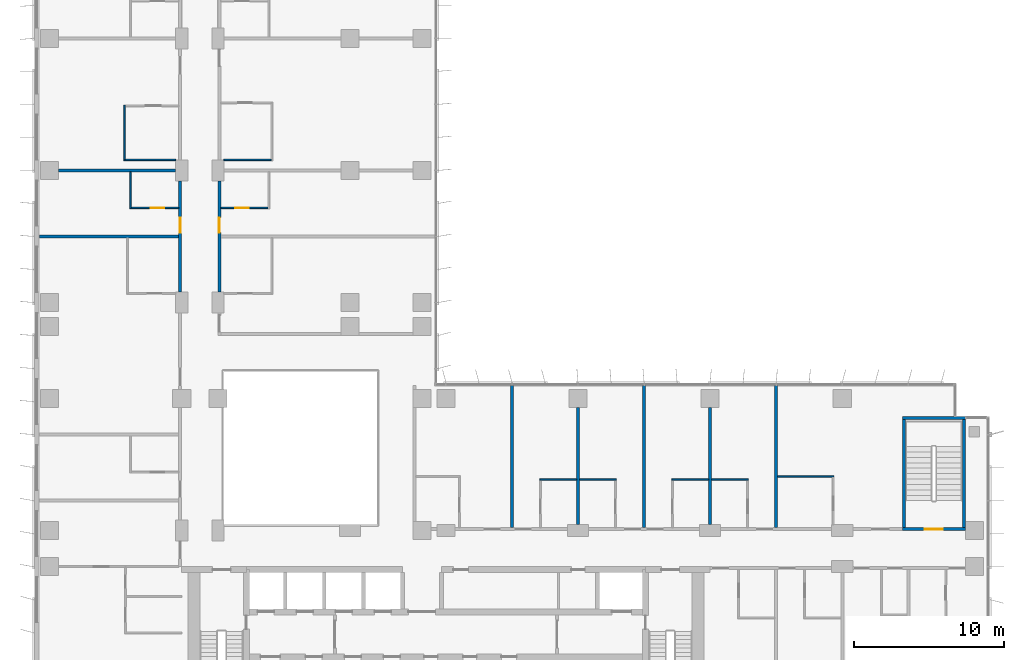
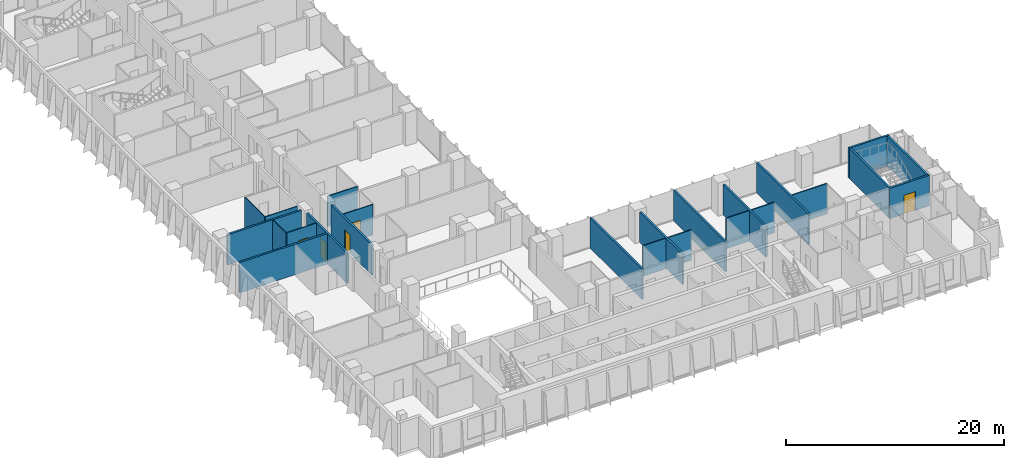
# One storey, part 15 of 23: 24 walls, 5 doors, 5 openings.
"""IFC4 building model written with IfcOpenShell, lengths in metres."""

from ifc_helpers import new_model, si_unit, direction, frame, frame_2d, origin, place, context, subcontext, project, spatial, rectangle, extrude, material, layer, layer_set, type_object, element, fill, save


model = new_model("IFC4")

# Units and contexts
model_context = context("Model", 3, precision=1e-05, world=origin(), true_north=direction((0.0, 1.0)))
body_context = subcontext(model_context, "Body", "Model", "MODEL_VIEW")
ifc_project = project(units=[si_unit("LENGTHUNIT", "METRE"), si_unit("AREAUNIT", "SQUARE_METRE"), si_unit("VOLUMEUNIT", "CUBIC_METRE"), si_unit("PLANEANGLEUNIT", "RADIAN"), si_unit("MASSUNIT", "GRAM", prefix="KILO")], contexts=[model_context])

# Site, building, storey
site_placement = place(None, origin())
site = spatial("IfcSite", under=ifc_project, at=site_placement, CompositionType="ELEMENT")
building_placement = place(site_placement, origin())
building = spatial("IfcBuilding", under=site, at=building_placement, Name="Kemantara Hotel Tower", CompositionType="ELEMENT")
storey_placement = place(building_placement, frame((0.0, 0.0, 118.5)))
storey = spatial("IfcBuildingStorey", under=building, at=storey_placement, Name="L28", CompositionType="ELEMENT", Elevation=118.5)

# Wall, opening, door
ifc_material_1 = material(Name="Gypsum board partition, steel studs and mineral wool, 200 mm", Category="steel")
ifc_layer_1 = layer(ifc_material_1, 0.199951171875)
ifc_layer_set_1 = layer_set([ifc_layer_1], Name="Gypsum board partition, steel studs and mineral wool, 200 mm")
wall_type_1 = type_object("IfcWallType", Name="CORRIDOR WALL 200", PredefinedType="PARTITIONING", material=ifc_layer_set_1)
wall_1_placement = place(storey_placement, frame((9.699951171875, 28.10009765625, 0.0), z_axis=(0.0, 0.0, 1.0), x_axis=(0.0, 1.0, 0.0)))
wall_1 = element("IfcWall", 1, at=wall_1_placement, inside=storey, type_object=wall_type_1, Name="CORRIDOR WALL 200 021", PredefinedType="PARTITIONING", context=body_context, shape_type="SweptSolid", body=[
    extrude(rectangle(XDim=7.39990234375, YDim=0.199951171875, at=frame_2d((3.699951171875, 0.0))), origin(), (0.0, 0.0, 1.0), 3.39990234375),
])
opening_1_placement = place(wall_1_placement, frame((3.949951171875, 0.0, 0.0)))
opening_1 = element("IfcOpeningElement", 2, at=opening_1_placement, cuts=wall_1, Name="Opening F12-029", PredefinedType="OPENING", context=body_context, shape_type="SweptSolid", body=[
    extrude(rectangle(XDim=1.0, YDim=2.10009765625, at=frame_2d((0.5, 1.050048828125))), frame((0.0, 0.10986328125, 0.0), z_axis=(0.0, -1.0, 0.0), x_axis=(1.0, 0.0, 0.0)), (0.0, 0.0, 1.0), 0.219970703125),
])
ifc_material_2 = material(Name="Hardwood veneer door leaf with steel frame", Category="steel")
door_type_1 = type_object("IfcDoorType", Name="GUEST ROOM DOOR 1000 X 2100 FD30S", OperationType="NOTDEFINED", PredefinedType="DOOR", material=ifc_material_2)
door_1_placement = place(opening_1_placement, origin())
door_1 = element("IfcDoor", 3, at=door_1_placement, inside=storey, type_object=door_type_1, Name="GUEST ROOM DOOR F12-029", OperationType="SINGLE_SWING_LEFT", OverallHeight=2.10009765625, OverallWidth=1.0, PredefinedType="DOOR", context=body_context, shape_type="SweptSolid", body=[
    extrude(rectangle(XDim=1.0, YDim=2.10009765625, at=frame_2d((0.5, 1.050048828125))), frame((0.0, 0.02490234375, 0.0), z_axis=(0.0, -1.0, 0.0), x_axis=(1.0, 0.0, 0.0)), (0.0, 0.0, 1.0), 0.050048828125),
])
fill(opening_1, door_1)

wall_2_placement = place(storey_placement, frame((12.300048828125, 35.5, 0.0), z_axis=(0.0, 0.0, 1.0), x_axis=(0.0, -1.0, 0.0)))
wall_2 = element("IfcWall", 4, at=wall_2_placement, inside=storey, type_object=wall_type_1, Name="CORRIDOR WALL 200 045", PredefinedType="PARTITIONING", context=body_context, shape_type="SweptSolid", body=[
    extrude(rectangle(XDim=7.39990234375, YDim=0.199951171875, at=frame_2d((3.699951171875, 0.0))), origin(), (0.0, 0.0, 1.0), 3.39990234375),
])
opening_2_placement = place(wall_2_placement, frame((2.449951171875, 0.0, 0.0)))
opening_2 = element("IfcOpeningElement", 5, at=opening_2_placement, cuts=wall_2, Name="Opening F12-047", PredefinedType="OPENING", context=body_context, shape_type="SweptSolid", body=[
    extrude(rectangle(XDim=1.0, YDim=2.10009765625, at=frame_2d((0.5, 1.050048828125))), frame((0.0, 0.10986328125, 0.0), z_axis=(0.0, -1.0, 0.0), x_axis=(1.0, 0.0, 0.0)), (0.0, 0.0, 1.0), 0.219970703125),
])
door_2_placement = place(opening_2_placement, origin())
door_2 = element("IfcDoor", 6, at=door_2_placement, inside=storey, type_object=door_type_1, Name="GUEST ROOM DOOR F12-047", OperationType="SINGLE_SWING_RIGHT", OverallHeight=2.10009765625, OverallWidth=1.0, PredefinedType="DOOR", context=body_context, shape_type="SweptSolid", body=[
    extrude(rectangle(XDim=1.0, YDim=2.10009765625, at=frame_2d((0.5, 1.050048828125))), frame((0.0, 0.02490234375, 0.0), z_axis=(0.0, -1.0, 0.0), x_axis=(1.0, 0.0, 0.0)), (0.0, 0.0, 1.0), 0.050048828125),
])
fill(opening_2, door_2)

ifc_material_3 = material(Name="Concrete fc 40 MPa", Category="concrete")
ifc_layer_2 = layer(ifc_material_3, 0.199951171875)
ifc_layer_set_2 = layer_set([ifc_layer_2], Name="Concrete fc 40 MPa")
wall_type_2 = type_object("IfcWallType", Name="Concrete stair wall 200 mm", PredefinedType="SHEAR", material=ifc_layer_set_2)
wall_3_placement = place(storey_placement, frame((57.800048828125, 12.300048828125, 0.0), z_axis=(0.0, 0.0, 1.0), x_axis=(1.0, 0.0, 0.0)))
wall_3 = element("IfcWall", 7, at=wall_3_placement, inside=storey, type_object=wall_type_2, Name="Stair ST3 enclosure wall with door", PredefinedType="SHEAR", context=body_context, shape_type="SweptSolid", body=[
    extrude(rectangle(XDim=4.199951171875, YDim=0.199951171875, at=frame_2d((2.10009765625, 0.0))), origin(), (0.0, 0.0, 1.0), 3.39990234375),
])
opening_3_placement = place(wall_3_placement, frame((1.5, 0.0, 0.0)))
opening_3 = element("IfcOpeningElement", 8, at=opening_3_placement, cuts=wall_3, Name="Opening ST3-C", PredefinedType="OPENING", context=body_context, shape_type="SweptSolid", body=[
    extrude(rectangle(XDim=1.199951171875, YDim=2.10009765625, at=frame_2d((0.60009765625, 1.050048828125))), frame((0.0, 0.10986328125, 0.0), z_axis=(0.0, -1.0, 0.0), x_axis=(1.0, 0.0, 0.0)), (0.0, 0.0, 1.0), 0.219970703125),
])
ifc_material_4 = material(Name="Steel fire door", Category="steel")
door_type_2 = type_object("IfcDoorType", Name="Fire door FD90 1200 x 2100", OperationType="NOTDEFINED", PredefinedType="DOOR", material=ifc_material_4)
door_3_placement = place(opening_3_placement, origin())
door_3 = element("IfcDoor", 9, at=door_3_placement, inside=storey, type_object=door_type_2, Name="Stair ST3 door", OperationType="SINGLE_SWING_RIGHT", OverallHeight=2.10009765625, OverallWidth=1.199951171875, PredefinedType="DOOR", context=body_context, shape_type="SweptSolid", body=[
    extrude(rectangle(XDim=1.199951171875, YDim=2.10009765625, at=frame_2d((0.60009765625, 1.050048828125))), frame((0.0, 0.02490234375, 0.0), z_axis=(0.0, -1.0, 0.0), x_axis=(1.0, 0.0, 0.0)), (0.0, 0.0, 1.0), 0.050048828125),
])
fill(opening_3, door_3)

# Walls
wall_4_placement = place(storey_placement, frame((57.800048828125, 19.699951171875, 0.0), z_axis=(0.0, 0.0, 1.0), x_axis=(1.0, 0.0, 0.0)))
element("IfcWall", 10, at=wall_4_placement, inside=storey, type_object=wall_type_2, Name="Stair ST3 enclosure wall N", PredefinedType="SHEAR", context=body_context, shape_type="SweptSolid", body=[
    extrude(rectangle(XDim=4.199951171875, YDim=0.199951171875, at=frame_2d((2.10009765625, 0.0))), origin(), (0.0, 0.0, 1.0), 3.39990234375),
])
for number, where, z_axis, x_axis, name in (
    (11, (57.89990234375, 12.39990234375, 0.0), (0.0, 0.0, 1.0), (0.0, 1.0, 0.0), "Stair ST3 enclosure wall W"),
    (12, (61.89990234375, 12.39990234375, 0.0), (0.0, 0.0, 1.0), (0.0, 1.0, 0.0), "Stair ST3 enclosure wall E"),
):
    element("IfcWall", number, at=place(storey_placement, frame(where, z_axis=z_axis, x_axis=x_axis)), inside=storey, type_object=wall_type_2, Name=name, PredefinedType="SHEAR", context=body_context, shape_type="SweptSolid", body=[
        extrude(rectangle(XDim=7.2001953125, YDim=0.199951171875, at=frame_2d((3.60009765625, 0.0))), origin(), (0.0, 0.0, 1.0), 3.39990234375),
    ])
ifc_layer_3 = layer(ifc_material_1, 0.199951171875)
ifc_layer_set_3 = layer_set([ifc_layer_3], Name="Gypsum board partition, steel studs and mineral wool, 200 mm")
wall_type_3 = type_object("IfcWallType", Name="GUEST ROOM PARTY WALL 200", PredefinedType="PARTITIONING", material=ifc_layer_set_3)
for number, where, z_axis, x_axis, name in (
    (13, (49.39990234375, 12.39990234375, 0.0), (0.0, 0.0, 1.0), (0.0, 1.0, 0.0), "GUEST ROOM PARTY WALL 200 004"),
    (14, (31.800048828125, 12.39990234375, 0.0), (0.0, 0.0, 1.0), (0.0, 1.0, 0.0), "GUEST ROOM PARTY WALL 200 014"),
):
    element("IfcWall", number, at=place(storey_placement, frame(where, z_axis=z_axis, x_axis=x_axis)), inside=storey, type_object=wall_type_3, Name=name, PredefinedType="PARTITIONING", context=body_context, shape_type="SweptSolid", body=[
        extrude(rectangle(XDim=9.47021484375, YDim=0.199951171875, at=frame_2d((4.735107421875, 0.0))), origin(), (0.0, 0.0, 1.0), 3.39990234375),
    ])
wall_5_placement = place(storey_placement, frame((36.199951171875, 12.60009765625, 0.0), z_axis=(0.0, 0.0, 1.0), x_axis=(0.0, 1.0, 0.0)))
element("IfcWall", 15, at=wall_5_placement, inside=storey, type_object=wall_type_3, Name="GUEST ROOM PARTY WALL 200 015", PredefinedType="PARTITIONING", context=body_context, shape_type="SweptSolid", body=[
    extrude(rectangle(XDim=7.7998046875, YDim=0.199951171875, at=frame_2d((3.89990234375, 0.0))), origin(), (0.0, 0.0, 1.0), 3.39990234375),
])
wall_6_placement = place(storey_placement, frame((40.60009765625, 12.39990234375, 0.0), z_axis=(0.0, 0.0, 1.0), x_axis=(0.0, 1.0, 0.0)))
element("IfcWall", 16, at=wall_6_placement, inside=storey, type_object=wall_type_3, Name="GUEST ROOM PARTY WALL 200 016", PredefinedType="PARTITIONING", context=body_context, shape_type="SweptSolid", body=[
    extrude(rectangle(XDim=9.47021484375, YDim=0.199951171875, at=frame_2d((4.735107421875, 0.0))), origin(), (0.0, 0.0, 1.0), 3.39990234375),
])
wall_7_placement = place(storey_placement, frame((45.0, 12.60009765625, 0.0), z_axis=(0.0, 0.0, 1.0), x_axis=(0.0, 1.0, 0.0)))
element("IfcWall", 17, at=wall_7_placement, inside=storey, type_object=wall_type_3, Name="GUEST ROOM PARTY WALL 200 017", PredefinedType="PARTITIONING", context=body_context, shape_type="SweptSolid", body=[
    extrude(rectangle(XDim=7.7998046875, YDim=0.199951171875, at=frame_2d((3.89990234375, 0.0))), origin(), (0.0, 0.0, 1.0), 3.39990234375),
])
wall_8_placement = place(storey_placement, frame((0.31005859375, 31.800048828125, 0.0), z_axis=(0.0, 0.0, 1.0), x_axis=(1.0, 0.0, 0.0)))
element("IfcWall", 18, at=wall_8_placement, inside=storey, type_object=wall_type_3, Name="GUEST ROOM PARTY WALL 200 029", PredefinedType="PARTITIONING", context=body_context, shape_type="SweptSolid", body=[
    extrude(rectangle(XDim=9.2900390625, YDim=0.199951171875, at=frame_2d((4.64501953125, 0.0))), origin(), (0.0, 0.0, 1.0), 3.39990234375),
])
wall_9_placement = place(storey_placement, frame((1.60009765625, 36.199951171875, 0.0), z_axis=(0.0, 0.0, 1.0), x_axis=(1.0, 0.0, 0.0)))
element("IfcWall", 19, at=wall_9_placement, inside=storey, type_object=wall_type_3, Name="GUEST ROOM PARTY WALL 200 031", PredefinedType="PARTITIONING", context=body_context, shape_type="SweptSolid", body=[
    extrude(rectangle(XDim=7.7998046875, YDim=0.199951171875, at=frame_2d((3.89990234375, 0.0))), origin(), (0.0, 0.0, 1.0), 3.39990234375),
])
ifc_material_5 = material(Name="Gypsum board partition on steel studs, 100 mm", Category="steel")
ifc_layer_4 = layer(ifc_material_5, 0.10009765625)
ifc_layer_set_4 = layer_set([ifc_layer_4], Name="Gypsum board partition on steel studs, 100 mm")
wall_type_4 = type_object("IfcWallType", Name="ROOM PARTITION 100", PredefinedType="PARTITIONING", material=ifc_layer_set_4)
wall_10_placement = place(storey_placement, frame((49.5, 15.800048828125, 0.0), z_axis=(0.0, 0.0, 1.0), x_axis=(1.0, 0.0, 0.0)))
element("IfcWall", 20, at=wall_10_placement, inside=storey, type_object=wall_type_4, Name="ROOM PARTITION 100 066", PredefinedType="PARTITIONING", context=body_context, shape_type="SweptSolid", body=[
    extrude(rectangle(XDim=3.75, YDim=0.10009765625, at=frame_2d((1.875, 0.0))), origin(), (0.0, 0.0, 1.0), 3.39990234375),
])
wall_11_placement = place(storey_placement, frame((33.64990234375, 15.60009765625, 0.0), z_axis=(0.0, 0.0, 1.0), x_axis=(1.0, 0.0, 0.0)))
element("IfcWall", 21, at=wall_11_placement, inside=storey, type_object=wall_type_4, Name="ROOM PARTITION 100 068", PredefinedType="PARTITIONING", context=body_context, shape_type="SweptSolid", body=[
    extrude(rectangle(XDim=2.4501953125, YDim=0.10009765625, at=frame_2d((1.22509765625, 0.0))), origin(), (0.0, 0.0, 1.0), 3.39990234375),
])
for number, where, z_axis, x_axis, name in (
    (22, (36.300048828125, 15.60009765625, 0.0), (0.0, 0.0, 1.0), (1.0, 0.0, 0.0), "ROOM PARTITION 100 069"),
    (23, (42.449951171875, 15.60009765625, 0.0), (0.0, 0.0, 1.0), (1.0, 0.0, 0.0), "ROOM PARTITION 100 070"),
    (24, (45.10009765625, 15.60009765625, 0.0), (0.0, 0.0, 1.0), (1.0, 0.0, 0.0), "ROOM PARTITION 100 071"),
):
    element("IfcWall", number, at=place(storey_placement, frame(where, z_axis=z_axis, x_axis=x_axis)), inside=storey, type_object=wall_type_4, Name=name, PredefinedType="PARTITIONING", context=body_context, shape_type="SweptSolid", body=[
        extrude(rectangle(XDim=2.449951171875, YDim=0.10009765625, at=frame_2d((1.22509765625, 0.0))), origin(), (0.0, 0.0, 1.0), 3.39990234375),
    ])
wall_12_placement = place(storey_placement, frame((6.39990234375, 33.64990234375, 0.0), z_axis=(0.0, 0.0, 1.0), x_axis=(0.0, 1.0, 0.0)))
element("IfcWall", 25, at=wall_12_placement, inside=storey, type_object=wall_type_4, Name="ROOM PARTITION 100 083", PredefinedType="PARTITIONING", context=body_context, shape_type="SweptSolid", body=[
    extrude(rectangle(XDim=2.4501953125, YDim=0.10009765625, at=frame_2d((1.22509765625, 0.0))), origin(), (0.0, 0.0, 1.0), 3.39990234375),
])

# Wall, opening, door
wall_13_placement = place(storey_placement, frame((6.449951171875, 33.699951171875, 0.0), z_axis=(0.0, 0.0, 1.0), x_axis=(1.0, 0.0, 0.0)))
wall_13 = element("IfcWall", 26, at=wall_13_placement, inside=storey, type_object=wall_type_4, Name="ROOM PARTITION 100 093", PredefinedType="PARTITIONING", context=body_context, shape_type="SweptSolid", body=[
    extrude(rectangle(XDim=3.150146484375, YDim=0.10009765625, at=frame_2d((1.5751953125, 0.0))), origin(), (0.0, 0.0, 1.0), 3.39990234375),
])
opening_4_placement = place(wall_13_placement, frame((1.300048828125, 0.0, 0.0)))
opening_4 = element("IfcOpeningElement", 27, at=opening_4_placement, cuts=wall_13, Name="Opening F12-030", PredefinedType="OPENING", context=body_context, shape_type="SweptSolid", body=[
    extrude(rectangle(XDim=0.89990234375, YDim=2.10009765625, at=frame_2d((0.449951171875, 1.050048828125))), frame((0.0, 0.06005859375, 0.0), z_axis=(0.0, -1.0, 0.0), x_axis=(1.0, 0.0, 0.0)), (0.0, 0.0, 1.0), 0.1201171875),
])
door_type_3 = type_object("IfcDoorType", Name="BATHROOM DOOR 900 X 2100", OperationType="NOTDEFINED", PredefinedType="DOOR", material=ifc_material_2)
door_4_placement = place(opening_4_placement, origin())
door_4 = element("IfcDoor", 28, at=door_4_placement, inside=storey, type_object=door_type_3, Name="BATHROOM DOOR F12-030", OperationType="SINGLE_SWING_RIGHT", OverallHeight=2.10009765625, OverallWidth=0.89990234375, PredefinedType="DOOR", context=body_context, shape_type="SweptSolid", body=[
    extrude(rectangle(XDim=0.89990234375, YDim=2.10009765625, at=frame_2d((0.449951171875, 1.050048828125))), frame((0.0, 0.02490234375, 0.0), z_axis=(0.0, -1.0, 0.0), x_axis=(1.0, 0.0, 0.0)), (0.0, 0.0, 1.0), 0.050048828125),
])
fill(opening_4, door_4)

wall_14_placement = place(storey_placement, frame((12.39990234375, 33.699951171875, 0.0), z_axis=(0.0, 0.0, 1.0), x_axis=(1.0, 0.0, 0.0)))
wall_14 = element("IfcWall", 29, at=wall_14_placement, inside=storey, type_object=wall_type_4, Name="ROOM PARTITION 100 094", PredefinedType="PARTITIONING", context=body_context, shape_type="SweptSolid", body=[
    extrude(rectangle(XDim=3.150146484375, YDim=0.10009765625, at=frame_2d((1.5751953125, 0.0))), origin(), (0.0, 0.0, 1.0), 3.39990234375),
])
opening_5_placement = place(wall_14_placement, frame((0.949951171875, 0.0, 0.0)))
opening_5 = element("IfcOpeningElement", 30, at=opening_5_placement, cuts=wall_14, Name="Opening F12-048", PredefinedType="OPENING", context=body_context, shape_type="SweptSolid", body=[
    extrude(rectangle(XDim=0.89990234375, YDim=2.10009765625, at=frame_2d((0.449951171875, 1.050048828125))), frame((0.0, 0.06005859375, 0.0), z_axis=(0.0, -1.0, 0.0), x_axis=(1.0, 0.0, 0.0)), (0.0, 0.0, 1.0), 0.1201171875),
])
door_5_placement = place(opening_5_placement, origin())
door_5 = element("IfcDoor", 31, at=door_5_placement, inside=storey, type_object=door_type_3, Name="BATHROOM DOOR F12-048", OperationType="SINGLE_SWING_LEFT", OverallHeight=2.10009765625, OverallWidth=0.89990234375, PredefinedType="DOOR", context=body_context, shape_type="SweptSolid", body=[
    extrude(rectangle(XDim=0.89990234375, YDim=2.10009765625, at=frame_2d((0.449951171875, 1.050048828125))), frame((0.0, 0.02490234375, 0.0), z_axis=(0.0, -1.0, 0.0), x_axis=(1.0, 0.0, 0.0)), (0.0, 0.0, 1.0), 0.050048828125),
])
fill(opening_5, door_5)

# Walls
wall_15_placement = place(storey_placement, frame((6.0, 36.85009765625, 0.0), z_axis=(0.0, 0.0, 1.0), x_axis=(0.0, 1.0, 0.0)))
element("IfcWall", 32, at=wall_15_placement, inside=storey, type_object=wall_type_4, Name="ROOM PARTITION 100 095", PredefinedType="PARTITIONING", context=body_context, shape_type="SweptSolid", body=[
    extrude(rectangle(XDim=3.699951171875, YDim=0.10009765625, at=frame_2d((1.85009765625, 0.0))), origin(), (0.0, 0.0, 1.0), 3.39990234375),
])
wall_16_placement = place(storey_placement, frame((6.050048828125, 36.89990234375, 0.0), z_axis=(0.0, 0.0, 1.0), x_axis=(1.0, 0.0, 0.0)))
element("IfcWall", 33, at=wall_16_placement, inside=storey, type_object=wall_type_4, Name="ROOM PARTITION 100 096", PredefinedType="PARTITIONING", context=body_context, shape_type="SweptSolid", body=[
    extrude(rectangle(XDim=3.349853515625, YDim=0.10009765625, at=frame_2d((1.6748046875, 0.0))), origin(), (0.0, 0.0, 1.0), 3.39990234375),
])
wall_17_placement = place(storey_placement, frame((12.60009765625, 36.89990234375, 0.0), z_axis=(0.0, 0.0, 1.0), x_axis=(1.0, 0.0, 0.0)))
element("IfcWall", 34, at=wall_17_placement, inside=storey, type_object=wall_type_4, Name="ROOM PARTITION 100 097", PredefinedType="PARTITIONING", context=body_context, shape_type="SweptSolid", body=[
    extrude(rectangle(XDim=3.14990234375, YDim=0.10009765625, at=frame_2d((1.574951171875, 0.0))), origin(), (0.0, 0.0, 1.0), 3.39990234375),
])

save(model, "model.ifc")
